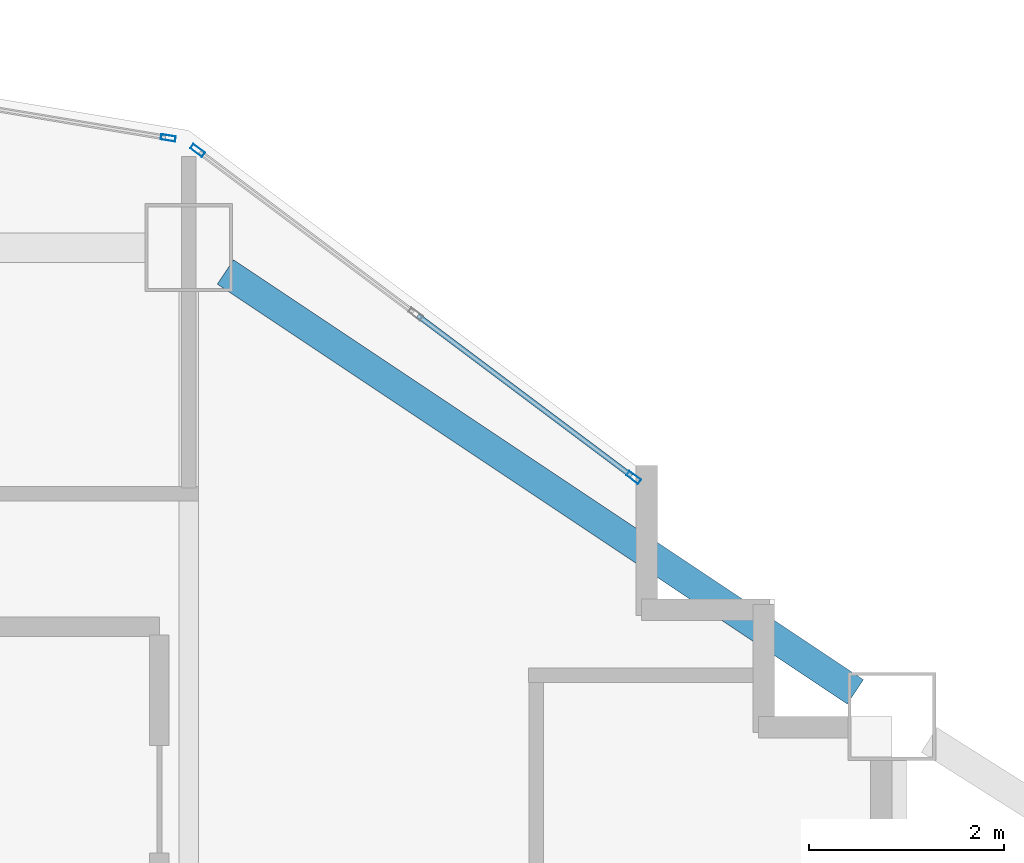
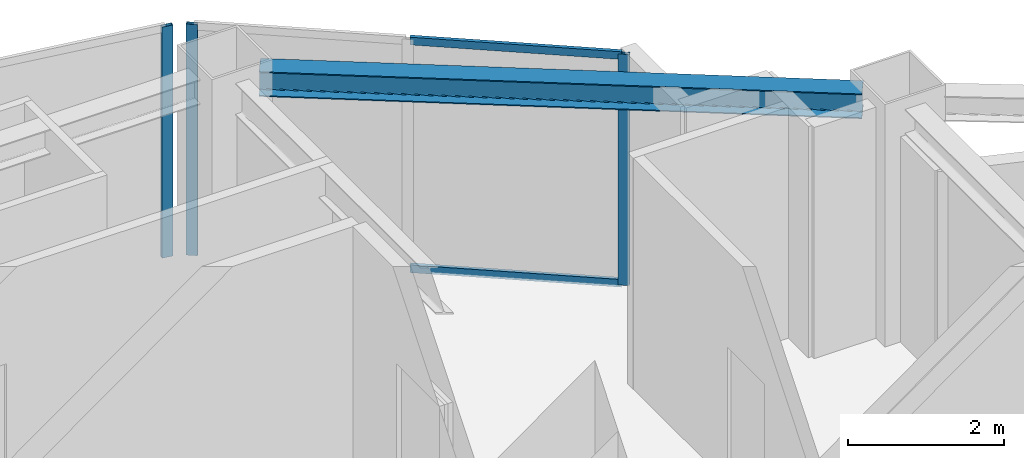
# One storey, part 3 of 11: 5 members, 1 beam, 2 elements without a shape of their own.
"""IFC4 building model written with IfcOpenShell, lengths in metres."""

from ifc_helpers import new_model, si_unit, direction, frame, origin, origin_2d, place, context, subcontext, project, spatial, hollow_rectangle, i_section, extrude, material, layer, layer_set, material_profile, profile_set, type_object, element, aggregate, save


model = new_model("IFC4")

# Units and contexts
model_context = context("Model", 3, precision=1e-05, world=origin(), true_north=direction((0.0, 1.0)))
body_context = subcontext(model_context, "Body", "Model", "MODEL_VIEW")
ifc_project = project(units=[si_unit("LENGTHUNIT", "METRE"), si_unit("AREAUNIT", "SQUARE_METRE"), si_unit("VOLUMEUNIT", "CUBIC_METRE"), si_unit("PLANEANGLEUNIT", "RADIAN"), si_unit("MASSUNIT", "GRAM", prefix="KILO")], contexts=[model_context])

# Site, building, storey
site_placement = place(None, origin())
site = spatial("IfcSite", under=ifc_project, at=site_placement, CompositionType="ELEMENT")
building_placement = place(site_placement, origin())
building = spatial("IfcBuilding", under=site, at=building_placement, Name="Haolan Belvedere Tower", CompositionType="ELEMENT")
storey_placement = place(building_placement, frame((0.0, 0.0, 188.0)))
storey = spatial("IfcBuildingStorey", under=building, at=storey_placement, Name="L47", CompositionType="ELEMENT", Elevation=188.0)

# Beam
ifc_material_1 = material(Name="Steel Q355B", Category="steel")
ifc_material_profile_1 = material_profile(ifc_material_1, i_section(OverallWidth=0.300048828125, OverallDepth=0.389892578125, WebThickness=0.010009765625, FlangeThickness=0.01611328125, FilletRadius=0.02197265625, at=origin_2d()), Name="Steel Q355B")
ifc_profile_set_1 = profile_set([ifc_material_profile_1], Name="Steel Q355B")
beam_type = type_object("IfcBeamType", Name="BM-HM390x300x10x16", PredefinedType="SPANDREL", material=ifc_profile_set_1)
beam_placement = place(storey_placement, frame((45.974365234375, 50.150390625, 3.425048828125), z_axis=(0.832050294338, -0.554700196225, 0.0), x_axis=(0.554700196225, 0.832050294338, 0.0)))
element("IfcBeam", 1, at=beam_placement, inside=storey, type_object=beam_type, Name="L47 spandrel girder MC-T3-N2-MC-T3-NE", PredefinedType="SPANDREL", context=body_context, shape_type="SweptSolid", body=[
    extrude(i_section(OverallWidth=0.300048828125, OverallDepth=0.389892578125, WebThickness=0.010009765625, FlangeThickness=0.01611328125, FilletRadius=0.02197265625, at=origin_2d()), origin(), (0.0, 0.0, 1.0), 7.75341796875),
])

# Curtain wall, members
ifc_material_2 = material(Name="Anodised champagne-silver aluminium 6063-T6 and Low-E glass", Category="aluminium")
ifc_layer = layer(ifc_material_2, 0.14990234375, Name="Anodised champagne-silver aluminium 6063-T6 and Low-E glass")
ifc_layer_set = layer_set([ifc_layer], Name="Anodised champagne-silver aluminium 6063-T6 and Low-E glass")
curtain_wall_type = type_object("IfcCurtainWallType", Name="CW-SYS-04", PredefinedType="NOTDEFINED", material=ifc_layer_set)
curtain_wall_1_placement = place(storey_placement, origin())
curtain_wall_1 = element("IfcCurtainWall", 2, at=curtain_wall_1_placement, inside=storey, type_object=curtain_wall_type, Name="L47 CW-SYS-04 ribbon curtain wall 20.1", PredefinedType="NOTDEFINED")
ifc_material_3 = material(Name="Anodised aluminium 6063-T6", Category="aluminium")
ifc_material_profile_2 = material_profile(ifc_material_3, hollow_rectangle(XDim=0.055908203125, YDim=0.14990234375, WallThickness=0.00390625, at=origin_2d()), Name="Anodised aluminium 6063-T6")
ifc_profile_set_2 = profile_set([ifc_material_profile_2], Name="Anodised aluminium 6063-T6")
member_type_1 = type_object("IfcMemberType", Name="CW-SYS-04-MUL", PredefinedType="MULLION", material=ifc_profile_set_2)
member_1_placement = place(storey_placement, frame((50.155517578125, 48.0458984375, 0.0), z_axis=(0.0, 0.0, 1.0), x_axis=(-0.600002837806, -0.799997871638, 0.0)))
member_1 = element("IfcMember", 3, at=member_1_placement, type_object=member_type_1, Name="CW-04 mullion 1", PredefinedType="MULLION", context=body_context, shape_type="SweptSolid", body=[
    extrude(hollow_rectangle(XDim=0.055908203125, YDim=0.14990234375, WallThickness=0.00390625, at=origin_2d()), origin(), (0.0, 0.0, 1.0), 3.6201171875),
])
member_2_placement = place(storey_placement, frame((45.68994140625, 51.39501953125, 0.0), z_axis=(0.0, 0.0, 1.0), x_axis=(-0.600002837806, -0.799997871638, 0.0)))
member_2 = element("IfcMember", 4, at=member_2_placement, type_object=member_type_1, Name="CW-04 mullion 3", PredefinedType="MULLION", context=body_context, shape_type="SweptSolid", body=[
    extrude(hollow_rectangle(XDim=0.055908203125, YDim=0.14990234375, WallThickness=0.00390625, at=origin_2d()), origin(), (0.0, 0.0, 1.0), 3.6201171875),
])

# Curtain wall, member
curtain_wall_2_placement = place(storey_placement, origin())
curtain_wall_2 = element("IfcCurtainWall", 5, at=curtain_wall_2_placement, inside=storey, type_object=curtain_wall_type, Name="L47 CW-SYS-04 ribbon curtain wall 21.1", PredefinedType="NOTDEFINED")
member_3_placement = place(storey_placement, frame((45.389892578125, 51.5234375, 0.0), z_axis=(0.0, 0.0, 1.0), x_axis=(-0.164405962825, -0.98639276122, 0.0)))
member_3 = element("IfcMember", 6, at=member_3_placement, type_object=member_type_1, Name="CW-04 mullion 1", PredefinedType="MULLION", context=body_context, shape_type="SweptSolid", body=[
    extrude(hollow_rectangle(XDim=0.055908203125, YDim=0.14990234375, WallThickness=0.00390625, at=origin_2d()), origin(), (0.0, 0.0, 1.0), 3.6201171875),
])
aggregate(curtain_wall_2, [member_3])

# Member
ifc_material_profile_3 = material_profile(ifc_material_3, hollow_rectangle(XDim=0.052001953125, YDim=0.1201171875, WallThickness=0.00390625, at=origin_2d()), Name="Anodised aluminium 6063-T6")
ifc_profile_set_3 = profile_set([ifc_material_profile_3], Name="Anodised aluminium 6063-T6")
member_type_2 = type_object("IfcMemberType", Name="CW-SYS-04-TRN", PredefinedType="USERDEFINED", material=ifc_profile_set_3)
member_4_placement = place(storey_placement, frame((50.13330078125, 48.0625, 0.02587890625), z_axis=(-0.800010710715, 0.59998571878, 0.0), x_axis=(-0.59998571878, -0.800010710715, 0.0)))
member_4 = element("IfcMember", 7, at=member_4_placement, type_object=member_type_2, Name="CW-04 transom 1.1", ObjectType="TRANSOM", PredefinedType="USERDEFINED", context=body_context, shape_type="SweptSolid", body=[
    extrude(hollow_rectangle(XDim=0.052001953125, YDim=0.1201171875, WallThickness=0.00390625, at=origin_2d()), origin(), (0.0, 0.0, 1.0), 2.7353515625),
])

member_5_placement = place(storey_placement, frame((50.13330078125, 48.0625, 3.593994140625), z_axis=(-0.800010710715, 0.59998571878, 0.0), x_axis=(-0.59998571878, -0.800010710715, 0.0)))
member_5 = element("IfcMember", 8, at=member_5_placement, type_object=member_type_2, Name="CW-04 transom 1.2", ObjectType="TRANSOM", PredefinedType="USERDEFINED", context=body_context, shape_type="SweptSolid", body=[
    extrude(hollow_rectangle(XDim=0.052001953125, YDim=0.1201171875, WallThickness=0.00390625, at=origin_2d()), origin(), (0.0, 0.0, 1.0), 2.7353515625),
])

aggregate(curtain_wall_1, [member_1, member_2, member_4, member_5])

save(model, "model.ifc")
